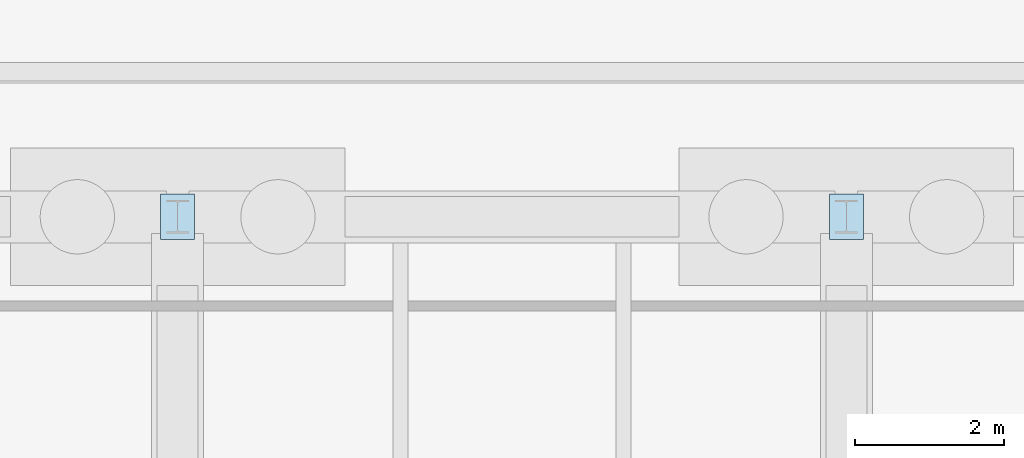
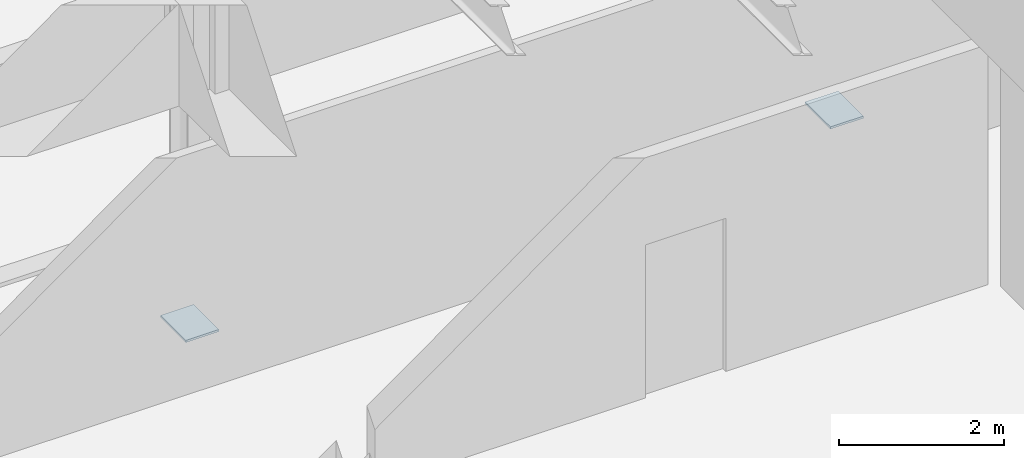
# One storey, part 40 of 76: 2 plates.
"""IFC4 building model written with IfcOpenShell, lengths in metres."""

from ifc_helpers import new_model, si_unit, direction, frame, origin, origin_2d, place, context, subcontext, project, spatial, rectangle, extrude, material, layer, layer_set, type_object, element, save


model = new_model("IFC4")

# Units and contexts
model_context = context("Model", 3, precision=1e-05, world=origin(), true_north=direction((0.0, 1.0)))
body_context = subcontext(model_context, "Body", "Model", "MODEL_VIEW")
ifc_project = project(units=[si_unit("LENGTHUNIT", "METRE"), si_unit("AREAUNIT", "SQUARE_METRE"), si_unit("VOLUMEUNIT", "CUBIC_METRE"), si_unit("PLANEANGLEUNIT", "RADIAN"), si_unit("MASSUNIT", "GRAM", prefix="KILO")], contexts=[model_context])

# Site, building, storey
site_placement = place(None, origin())
site = spatial("IfcSite", under=ifc_project, at=site_placement, CompositionType="ELEMENT")
building_placement = place(site_placement, origin())
building = spatial("IfcBuilding", under=site, at=building_placement, Name="Bozkorgan Art Gallery", CompositionType="ELEMENT")
storey_placement = place(building_placement, origin())
storey = spatial("IfcBuildingStorey", under=building, at=storey_placement, Name="L00", CompositionType="ELEMENT", Elevation=0.0)

# Plates
ifc_material = material(Name="Steel S355J2", Category="steel")
ifc_layer = layer(ifc_material, 0.031982421875, Name="Steel S355J2")
ifc_layer_set = layer_set([ifc_layer], Name="Steel S355J2")
plate_type = type_object("IfcPlateType", Name="PLATE-BP-64", PredefinedType="USERDEFINED", material=ifc_layer_set)
for number, where, z_axis, x_axis, name in (
    (1, (101.0, 11.0, 0.0), (0.0, 0.0, 1.0), (1.0, 0.0, 0.0), "COL-V3-L00-101-11 base plate"),
    (2, (110.0, 11.0, 0.0), (0.0, 0.0, 1.0), (1.0, 0.0, 0.0), "COL-V3-L00-110-11 base plate"),
):
    element("IfcPlate", number, at=place(storey_placement, frame(where, z_axis=z_axis, x_axis=x_axis)), inside=storey, type_object=plate_type, Name=name, ObjectType="END CAP PLATE", PredefinedType="USERDEFINED", context=body_context, shape_type="SweptSolid", body=[
        extrude(rectangle(XDim=0.4599609375, YDim=0.610107421875, at=origin_2d()), origin(), (0.0, 0.0, 1.0), 0.031982421875),
    ])

save(model, "model.ifc")
